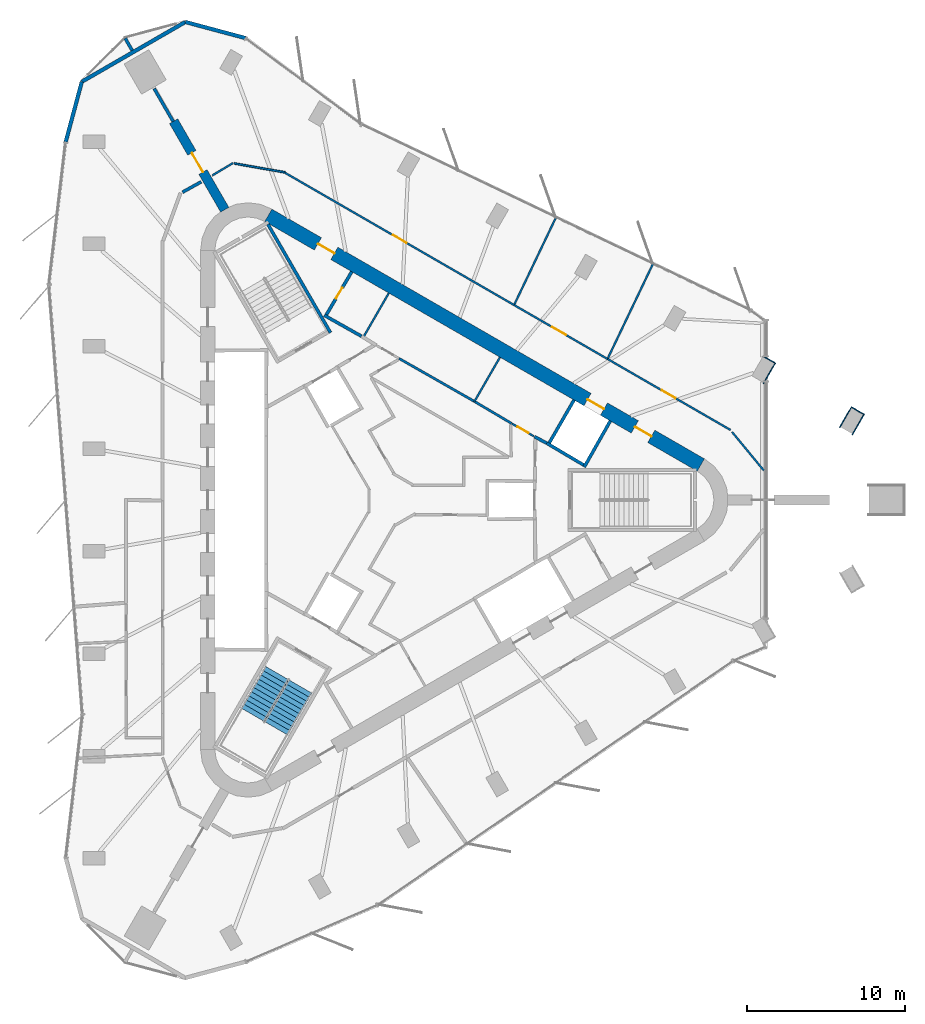
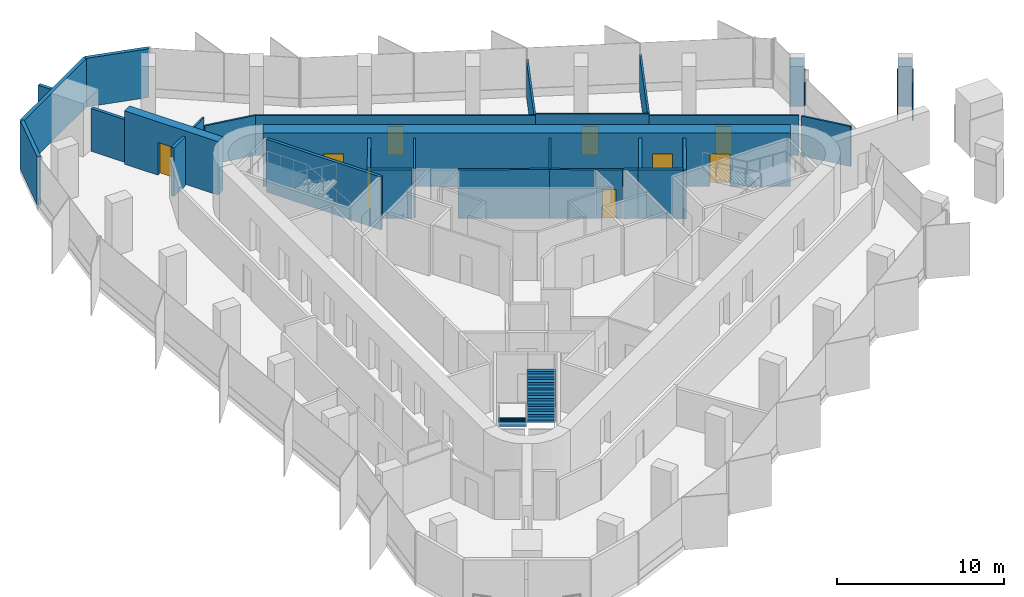
# One storey, part 10 of 12: 33 walls, 9 doors, 2 stair flights, 9 openings, 1 element without a shape of its own.
"""IFC4 building model written with IfcOpenShell, lengths in metres."""

import ifcopenshell
import ifcopenshell.guid

model = None  # the IFC model being written
_history = None  # IfcOwnerHistory: only IFC2X3 demands one
_inside = {}  # id of a spatial element -> (the spatial element, [elements in it])
_under = {}  # id of a project, library or spatial element -> (it, [spatial elements below it])
_declared = {}  # id of a project -> (the project, [libraries it declares])
_typed = {}  # id of a type object -> (the type object, [elements of that type])
_made_of = {}  # id of a material, layer set ... -> (it, [elements and type objects made of it])


def new_model(schema):
    """Start an empty IFC model of exactly this schema.

    Asked for "IFC4X3", IfcOpenShell would pick the latest addendum, in which some entities
    have other attributes; the version numbers below select the first issue.
    IFC2X3 requires an IfcOwnerHistory on every rooted entity: one is made here for all.
    """
    global model, _history
    if schema == "IFC4X3":
        model = ifcopenshell.file(schema_version=(4, 3, 0, 0))
    else:
        model = ifcopenshell.file(schema=schema)
    _inside.clear()
    _under.clear()
    _declared.clear()
    _typed.clear()
    _made_of.clear()
    _history = None
    if model.schema == "IFC2X3":
        org = make("IfcOrganization", Name="unknown")
        user = make(
            "IfcPersonAndOrganization",
            ThePerson=make("IfcPerson", FamilyName="unknown"),
            TheOrganization=org,
        )
        app = make(
            "IfcApplication",
            ApplicationDeveloper=org,
            Version="unknown",
            ApplicationFullName="unknown",
            ApplicationIdentifier="unknown",
        )
        _history = make(
            "IfcOwnerHistory",
            OwningUser=user,
            OwningApplication=app,
            ChangeAction="ADDED",
            CreationDate=0,
        )
    return model


def make(cls, **values):
    """One entity of the class cls with the attributes given. An attribute that is None is left unset."""
    return model.create_entity(
        cls, **{name: value for name, value in values.items() if value is not None}
    )


def rooted(cls, **values):
    """An entity with a GlobalId (a new one), such as an element, a storey or a relation."""
    return make(cls, GlobalId=ifcopenshell.guid.new(), OwnerHistory=_history, **values)


def si_unit(unit_type, name, prefix=None):
    """IfcSIUnit, for example si_unit("LENGTHUNIT", "METRE", prefix="MILLI")."""
    return make("IfcSIUnit", UnitType=unit_type, Prefix=prefix, Name=name)


def assignment(units):
    """IfcUnitAssignment: the units of a project."""
    return None if units is None else make("IfcUnitAssignment", Units=units)


def point(xyz):
    """IfcCartesianPoint."""
    return None if xyz is None else make("IfcCartesianPoint", Coordinates=xyz)


def direction(xyz):
    """IfcDirection."""
    return None if xyz is None else make("IfcDirection", DirectionRatios=xyz)


def frame(location, z_axis=None, x_axis=None):
    """IfcAxis2Placement3D, a coordinate frame: its origin and axes. An axis left out is left unset."""
    return make(
        "IfcAxis2Placement3D",
        Location=point(location),
        Axis=direction(z_axis),
        RefDirection=direction(x_axis),
    )


def frame_2d(location, x_axis=None):
    """IfcAxis2Placement2D, a coordinate frame in the plane: its origin and x axis."""
    return make(
        "IfcAxis2Placement2D", Location=point(location), RefDirection=direction(x_axis)
    )


def origin():
    """The frame at (0, 0, 0) with its axes left unset."""
    return frame((0.0, 0.0, 0.0))


def place(relative_to, where):
    """IfcLocalPlacement: puts the frame where relative to a parent placement (None: the world)."""
    return make(
        "IfcLocalPlacement", PlacementRelTo=relative_to, RelativePlacement=where
    )


def context(
    kind, dimensions, precision=None, world=None, true_north=None, identifier=None
):
    """IfcGeometricRepresentationContext, for example the 3D "Model" context."""
    return make(
        "IfcGeometricRepresentationContext",
        ContextIdentifier=identifier,
        ContextType=kind,
        CoordinateSpaceDimension=dimensions,
        Precision=precision,
        WorldCoordinateSystem=world,
        TrueNorth=true_north,
    )


def subcontext(parent, identifier, kind, view, scale=None):
    """IfcGeometricRepresentationSubContext, for example "Body" below "Model"."""
    return make(
        "IfcGeometricRepresentationSubContext",
        ContextIdentifier=identifier,
        ContextType=kind,
        ParentContext=parent,
        TargetScale=scale,
        TargetView=view,
    )


def project(units=None, contexts=None):
    """IfcProject with its units and contexts."""
    return rooted(
        "IfcProject",
        Name="project",
        RepresentationContexts=contexts,
        UnitsInContext=assignment(units),
    )


def spatial(cls, under=None, at=None, **own):
    """A site, building, storey or space (cls), placed at a placement, below another one or the project."""
    s = rooted(cls, ObjectPlacement=at, **own)
    if under is not None:
        _under.setdefault(under.id(), (under, []))[1].append(s)
    return s


def polyline(points):
    """IfcPolyline through the points."""
    return make("IfcPolyline", Points=[point(p) for p in points])


def profile(cls, at=None, kind="AREA", **sizes):
    """A parametric profile (cls). Its sizes go by their IFC names, for example OverallWidth=200.0."""
    return make(cls, ProfileType=kind, Position=at, **sizes)


def rectangle(**sizes):
    """IfcRectangleProfileDef."""
    return profile("IfcRectangleProfileDef", **sizes)


def outline(outer, holes=None, kind="AREA"):
    """IfcArbitraryClosedProfileDef: a profile drawn as a closed curve; with holes, ...WithVoids."""
    if holes is None:
        return make("IfcArbitraryClosedProfileDef", ProfileType=kind, OuterCurve=outer)
    return make(
        "IfcArbitraryProfileDefWithVoids",
        ProfileType=kind,
        OuterCurve=outer,
        InnerCurves=holes,
    )


def extrude(swept, where, along, depth):
    """IfcExtrudedAreaSolid: the profile swept, set in the frame where, extruded along a direction by depth."""
    return make(
        "IfcExtrudedAreaSolid",
        SweptArea=swept,
        Position=where,
        ExtrudedDirection=direction(along),
        Depth=depth,
    )


def shape(context_of_items, identifier, shape_type, items):
    """IfcShapeRepresentation: the items that make up one representation, for example the "Body"."""
    return make(
        "IfcShapeRepresentation",
        ContextOfItems=context_of_items,
        RepresentationIdentifier=identifier,
        RepresentationType=shape_type,
        Items=items,
    )


def material(Name=None, Category=None):
    """IfcMaterial."""
    return make("IfcMaterial", Name=Name, Category=Category)


def layer(
    of_material, thickness, ventilated=None, Name=None, Category=None, Priority=None
):
    """IfcMaterialLayer: one layer of a wall or slab, of a material (None: an air gap)."""
    return make(
        "IfcMaterialLayer",
        Material=of_material,
        LayerThickness=thickness,
        IsVentilated=ventilated,
        Name=Name,
        Category=Category,
        Priority=Priority,
    )


def layer_set(layers, Name=None):
    """IfcMaterialLayerSet."""
    return make("IfcMaterialLayerSet", MaterialLayers=layers, LayerSetName=Name)


def made_of(thing, what):
    """Note that an element or type object is made of a material, layer set ...; save() writes the relation."""
    if what is not None:
        _made_of.setdefault(what.id(), (what, []))[1].append(thing)
    return thing


def type_object(cls, material=None, **own):
    """A type object (cls), such as IfcWallType, which elements share."""
    return made_of(rooted(cls, **own), material)


def element(
    cls,
    number,
    at=None,
    inside=None,
    cuts=None,
    type_object=None,
    material=None,
    context=None,
    identifier="Body",
    shape_type=None,
    held_by="IfcProductDefinitionShape",
    body=None,
    shapes=None,
    **own,
):
    """One element of the class cls, such as IfcWall. Its Tag is "e" and its number.

    at: its placement. inside: the storey or other place that contains it. cuts: it is an
    opening in that element (IfcRelVoidsElement). A single representation is given by context,
    identifier, shape_type and body (its items); several are given by shapes. held_by: the class
    of the entity that holds the representations. save() writes the other relations.
    """
    e = rooted(cls, Tag="e%d" % number, ObjectPlacement=at, **own)
    if body is not None:
        shapes = [shape(context, identifier, shape_type, body)]
    if shapes is not None:
        e.Representation = make(held_by, Representations=shapes)
    if inside is not None:
        _inside.setdefault(inside.id(), (inside, []))[1].append(e)
    if cuts is not None:
        rooted(
            "IfcRelVoidsElement", RelatingBuildingElement=cuts, RelatedOpeningElement=e
        )
    if type_object is not None:
        _typed.setdefault(type_object.id(), (type_object, []))[1].append(e)
    return made_of(e, material)


def fill(opening, filler):
    """IfcRelFillsElement: the door or window that sits in an opening."""
    return rooted(
        "IfcRelFillsElement",
        RelatingOpeningElement=opening,
        RelatedBuildingElement=filler,
    )


def aggregate(whole, parts):
    """IfcRelAggregates: a whole, such as a stair, and the parts it consists of."""
    return rooted("IfcRelAggregates", RelatingObject=whole, RelatedObjects=parts)


def save(model, path):
    """Write the relations noted so far, then the file.

    IfcRelAggregates (storeys below a building ...), IfcRelContainedInSpatialStructure (elements
    in a storey), IfcRelDefinesByType, IfcRelAssociatesMaterial and IfcRelDeclares: one each for
    every whole, place, type object, material and project.
    """
    for whole, parts in _under.values():
        aggregate(whole, parts)
    for where, things in _inside.values():
        rooted(
            "IfcRelContainedInSpatialStructure",
            RelatedElements=things,
            RelatingStructure=where,
        )
    for kind, things in _typed.values():
        rooted("IfcRelDefinesByType", RelatedObjects=things, RelatingType=kind)
    for what, things in _made_of.values():
        rooted("IfcRelAssociatesMaterial", RelatedObjects=things, RelatingMaterial=what)
    for by, libraries in _declared.values():
        rooted("IfcRelDeclares", RelatingContext=by, RelatedDefinitions=libraries)
    model.write(path)


model = new_model("IFC4")

# Units and contexts
model_context = context("Model", 3, precision=1e-05, world=origin(), true_north=direction((0.0, 1.0)))
body_context = subcontext(model_context, "Body", "Model", "MODEL_VIEW")
ifc_project = project(units=[si_unit("LENGTHUNIT", "METRE"), si_unit("AREAUNIT", "SQUARE_METRE"), si_unit("VOLUMEUNIT", "CUBIC_METRE"), si_unit("PLANEANGLEUNIT", "RADIAN"), si_unit("MASSUNIT", "GRAM", prefix="KILO")], contexts=[model_context])

# Site, building, storey
site_placement = place(None, origin())
site = spatial("IfcSite", under=ifc_project, at=site_placement, CompositionType="ELEMENT")
building_placement = place(site_placement, origin())
building = spatial("IfcBuilding", under=site, at=building_placement, Name="Tanit Gate Tower", CompositionType="ELEMENT")
storey_placement = place(building_placement, frame((0.0, 0.0, 388.39990234375)))
storey = spatial("IfcBuildingStorey", under=building, at=storey_placement, Name="L89", CompositionType="ELEMENT", Elevation=388.39990234375)

# Wall, opening, door
ifc_material_1 = material(Name="Concrete C40/50", Category="concrete")
ifc_layer_1 = layer(ifc_material_1, 0.60009765625)
ifc_layer_set_1 = layer_set([ifc_layer_1], Name="BUTTRESS FIN 600 C40/50")
wall_type_1 = type_object("IfcWallType", Name="BUTTRESS FIN 600 C40/50", PredefinedType="SHEAR", material=ifc_layer_set_1)
wall_1_placement = place(storey_placement, frame((-10.574951171875, 18.31640625, 0.0), z_axis=(0.0, 0.0, 1.0), x_axis=(-0.500011655475, 0.866018674388, 0.0)))
wall_1 = element("IfcWall", 1, at=wall_1_placement, inside=storey, type_object=wall_type_1, Name="BUTTRESS FIN", PredefinedType="SHEAR", context=body_context, shape_type="SweptSolid", body=[
    extrude(rectangle(XDim=6.454833984375, YDim=0.60009765625, at=frame_2d((3.2275390625, 0.0))), origin(), (0.0, 0.0, 1.0), 3.900146484375),
])
opening_1_placement = place(wall_1_placement, frame((2.75, 0.0, 0.0)))
opening_1 = element("IfcOpeningElement", 2, at=opening_1_placement, cuts=wall_1, Name="Opening P14-89-F-NW-1", PredefinedType="OPENING", context=body_context, shape_type="SweptSolid", body=[
    extrude(rectangle(XDim=1.39990234375, YDim=2.39990234375, at=frame_2d((0.699951171875, 1.199951171875))), frame((0.0, 0.31005859375, 0.0), z_axis=(0.0, -1.0, 0.0), x_axis=(1.0, 0.0, 0.0)), (0.0, 0.0, 1.0), 0.6201171875),
])
ifc_material_2 = material(Name="Timber door leaf", Category="wood")
door_type_1 = type_object("IfcDoorType", Name="INT-DOOR-FIN-PAIR-1400", OperationType="NOTDEFINED", PredefinedType="NOTDEFINED", material=ifc_material_2)
door_1_placement = place(opening_1_placement, origin())
door_1 = element("IfcDoor", 3, at=door_1_placement, inside=storey, type_object=door_type_1, Name="Door P14-89-F-NW-1", OperationType="DOUBLE_DOOR_SINGLE_SWING", OverallHeight=2.39990234375, OverallWidth=1.39990234375, PredefinedType="NOTDEFINED", context=body_context, shape_type="SweptSolid", body=[
    extrude(rectangle(XDim=1.39990234375, YDim=2.39990234375, at=frame_2d((0.699951171875, 1.199951171875))), frame((0.0, 0.02490234375, 0.0), z_axis=(0.0, -1.0, 0.0), x_axis=(1.0, 0.0, 0.0)), (0.0, 0.0, 1.0), 0.050048828125),
])
fill(opening_1, door_1)

# Wall, openings, doors
ifc_material_3 = material(Name="Concrete C40/50", Category="concrete")
ifc_layer_2 = layer(ifc_material_3, 0.89990234375)
ifc_layer_set_2 = layer_set([ifc_layer_2], Name="CORE WALL 900 C40/50")
wall_type_2 = type_object("IfcWallType", Name="CORE WALL 900 C40/50", PredefinedType="SHEAR", material=ifc_layer_set_2)
wall_2_placement = place(storey_placement, frame((19.47509765625, 2.20849609375, 0.0), z_axis=(0.0, 0.0, 1.0), x_axis=(-0.866028369851, 0.499994862586, 0.0)))
wall_2 = element("IfcWall", 4, at=wall_2_placement, inside=storey, type_object=wall_type_2, Name="CORE WALL", PredefinedType="SHEAR", context=body_context, shape_type="SweptSolid", body=[
    extrude(rectangle(XDim=31.523193359375, YDim=0.89990234375, at=frame_2d((15.76171875, 0.0))), origin(), (0.0, 0.0, 1.0), 3.900146484375),
])
opening_2_placement = place(wall_2_placement, frame((7.0615234375, 0.0, 0.0)))
opening_2 = element("IfcOpeningElement", 5, at=opening_2_placement, cuts=wall_2, Name="Opening LDHL8-89", PredefinedType="OPENING", context=body_context, shape_type="SweptSolid", body=[
    extrude(rectangle(XDim=1.199951171875, YDim=2.39990234375, at=frame_2d((0.60009765625, 1.199951171875))), frame((0.0, 0.4599609375, 0.0), z_axis=(0.0, -1.0, 0.0), x_axis=(1.0, 0.0, 0.0)), (0.0, 0.0, 1.0), 0.919921875),
])
opening_3_placement = place(wall_2_placement, frame((3.611572265625, 0.0, 0.0)))
opening_3 = element("IfcOpeningElement", 6, at=opening_3_placement, cuts=wall_2, Name="Opening F12-89-FL1", PredefinedType="OPENING", context=body_context, shape_type="SweptSolid", body=[
    extrude(rectangle(XDim=1.199951171875, YDim=2.39990234375, at=frame_2d((0.60009765625, 1.199951171875))), frame((0.0, 0.4599609375, 0.0), z_axis=(0.0, -1.0, 0.0), x_axis=(1.0, 0.0, 0.0)), (0.0, 0.0, 1.0), 0.919921875),
])
opening_4_placement = place(wall_2_placement, frame((26.711669921875, 0.0, 0.0)))
opening_4 = element("IfcOpeningElement", 7, at=opening_4_placement, cuts=wall_2, Name="Opening F12-89-S2", PredefinedType="OPENING", context=body_context, shape_type="SweptSolid", body=[
    extrude(rectangle(XDim=1.199951171875, YDim=2.39990234375, at=frame_2d((0.60009765625, 1.199951171875))), frame((0.0, 0.4599609375, 0.0), z_axis=(0.0, -1.0, 0.0), x_axis=(1.0, 0.0, 0.0)), (0.0, 0.0, 1.0), 0.919921875),
])
ifc_material_4 = material(Name="Fire-rated steel door leaf", Category="steel")
door_type_2 = type_object("IfcDoorType", Name="INT-DOOR-FIRE-LOBBY-1200", OperationType="NOTDEFINED", PredefinedType="USERDEFINED", material=ifc_material_4)
door_2_placement = place(opening_3_placement, origin())
door_2 = element("IfcDoor", 8, at=door_2_placement, inside=storey, type_object=door_type_2, Name="Door F12-89-FL1", ObjectType="FIRE DOOR", OperationType="SINGLE_SWING_LEFT", OverallHeight=2.39990234375, OverallWidth=1.199951171875, PredefinedType="USERDEFINED", context=body_context, shape_type="SweptSolid", body=[
    extrude(rectangle(XDim=1.199951171875, YDim=2.39990234375, at=frame_2d((0.60009765625, 1.199951171875))), frame((0.0, 0.02490234375, 0.0), z_axis=(0.0, -1.0, 0.0), x_axis=(1.0, 0.0, 0.0)), (0.0, 0.0, 1.0), 0.050048828125),
])
fill(opening_3, door_2)
door_3_placement = place(opening_4_placement, origin())
door_3 = element("IfcDoor", 9, at=door_3_placement, inside=storey, type_object=door_type_2, Name="Door F12-89-S2", ObjectType="FIRE DOOR", OperationType="SINGLE_SWING_LEFT", OverallHeight=2.39990234375, OverallWidth=1.199951171875, PredefinedType="USERDEFINED", context=body_context, shape_type="SweptSolid", body=[
    extrude(rectangle(XDim=1.199951171875, YDim=2.39990234375, at=frame_2d((0.60009765625, 1.199951171875))), frame((0.0, 0.02490234375, 0.0), z_axis=(0.0, -1.0, 0.0), x_axis=(1.0, 0.0, 0.0)), (0.0, 0.0, 1.0), 0.050048828125),
])
fill(opening_4, door_3)
ifc_material_5 = material(Name="Stainless steel sliding door leaf", Category="steel")
door_type_3 = type_object("IfcDoorType", Name="INT-DOOR-LANDING-1200", OperationType="NOTDEFINED", PredefinedType="USERDEFINED", material=ifc_material_5)
door_4_placement = place(opening_2_placement, origin())
door_4 = element("IfcDoor", 10, at=door_4_placement, inside=storey, type_object=door_type_3, Name="Door LDHL8-89", ObjectType="LANDING DOOR", OperationType="SLIDING_TO_LEFT", OverallHeight=2.39990234375, OverallWidth=1.199951171875, PredefinedType="USERDEFINED", context=body_context, shape_type="SweptSolid", body=[
    extrude(rectangle(XDim=1.199951171875, YDim=2.39990234375, at=frame_2d((0.60009765625, 1.199951171875))), frame((0.0, 0.02490234375, 0.0), z_axis=(0.0, -1.0, 0.0), x_axis=(1.0, 0.0, 0.0)), (0.0, 0.0, 1.0), 0.050048828125),
])
fill(opening_2, door_4)

# Walls
ifc_material_6 = material(Name="Bronze anodised aluminium cladding", Category="aluminium")
ifc_layer_3 = layer(ifc_material_6, 0.06005859375)
ifc_layer_set_3 = layer_set([ifc_layer_3], Name="Column casing bronze 60")
wall_type_3 = type_object("IfcWallType", Name="Column casing bronze 60", PredefinedType="SOLIDWALL", material=ifc_layer_set_3)
for number, where, z_axis, x_axis, name in (
    (11, (28.235595703125, 4.568115234375, 0.0), (0.0, 0.0, 1.0), (0.499991248344, 0.866030456496, 0.0), "Column casing L89 P-NE1.L1"),
    (12, (29.023681640625, 4.11328125, 0.0), (0.0, 0.0, 1.0), (0.499991248344, 0.866030456496, 0.0), "Column casing L89 P-NE1.L2"),
):
    element("IfcWall", number, at=place(storey_placement, frame(where, z_axis=z_axis, x_axis=x_axis)), inside=storey, type_object=wall_type_3, Name=name, PredefinedType="SOLIDWALL", context=body_context, shape_type="SweptSolid", body=[
        extrude(rectangle(XDim=1.52001953125, YDim=0.06005859375, at=frame_2d((0.760009765625, 0.0))), origin(), (0.0, 0.0, 1.0), 2.736083984375),
    ])
wall_3_placement = place(storey_placement, frame((29.74267578125, 5.418701171875, 0.0), z_axis=(0.0, 0.0, 1.0), x_axis=(-0.866113839764, 0.499846793097, 0.0)))
element("IfcWall", 13, at=wall_3_placement, inside=storey, type_object=wall_type_3, Name="Column casing L89 P-NE1.S1", PredefinedType="SOLIDWALL", context=body_context, shape_type="SweptSolid", body=[
    extrude(rectangle(XDim=0.849853515625, YDim=0.06005859375, at=frame_2d((0.4248046875, 0.0))), origin(), (0.0, 0.0, 1.0), 3.550048828125),
])
wall_4_placement = place(storey_placement, frame((23.42578125, 7.34521484375, 1.10009765625), z_axis=(0.0, 0.0, 1.0), x_axis=(0.499991248344, 0.866030456496, 0.0)))
element("IfcWall", 14, at=wall_4_placement, inside=storey, type_object=wall_type_3, Name="Column casing L89 P-NE2.L2", PredefinedType="SOLIDWALL", context=body_context, shape_type="SweptSolid", body=[
    extrude(rectangle(XDim=1.52001953125, YDim=0.06005859375, at=frame_2d((0.760009765625, 0.0))), origin(), (0.0, 0.0, 1.0), 1.635986328125),
])
wall_5_placement = place(storey_placement, frame((24.144775390625, 8.650390625, 0.0), z_axis=(0.0, 0.0, 1.0), x_axis=(-0.865989465428, 0.500062241894, 0.0)))
element("IfcWall", 15, at=wall_5_placement, inside=storey, type_object=wall_type_3, Name="Column casing L89 P-NE2.S1", PredefinedType="SOLIDWALL", context=body_context, shape_type="SweptSolid", body=[
    extrude(rectangle(XDim=0.85009765625, YDim=0.06005859375, at=frame_2d((0.425048828125, 0.0))), origin(), (0.0, 0.0, 1.0), 3.550048828125),
])
ifc_material_7 = material(Name="Concrete C30/37 with bronze anodised aluminium cladding", Category="concrete")
ifc_layer_4 = layer(ifc_material_7, 0.239990234375)
ifc_layer_set_4 = layer_set([ifc_layer_4], Name="Facade wall bronze clad 240")
wall_type_4 = type_object("IfcWallType", Name="Facade wall bronze clad 240", PredefinedType="SOLIDWALL", material=ifc_layer_set_4)
wall_6_placement = place(storey_placement, frame((-9.27880859375, 29.157958984375, 0.0), z_axis=(0.0, 0.0, 1.0), x_axis=(-0.965923842933, 0.258826446974, 0.0)))
element("IfcWall", 16, at=wall_6_placement, inside=storey, type_object=wall_type_4, Name="Bronze-clad facade wall L89 NW.arc1", PredefinedType="SOLIDWALL", context=body_context, shape_type="SweptSolid", body=[
    extrude(rectangle(XDim=3.91650390625, YDim=0.239990234375, at=frame_2d((1.958251953125, 0.0))), origin(), (0.0, 0.0, 1.0), 3.550048828125),
])
wall_7_placement = place(storey_placement, frame((-13.061767578125, 30.171630859375, 0.0), z_axis=(0.0, 0.0, 1.0), x_axis=(-0.86602506914, -0.500000579621, 0.0)))
element("IfcWall", 17, at=wall_7_placement, inside=storey, type_object=wall_type_4, Name="Bronze-clad facade wall L89 NW.arc2", PredefinedType="SOLIDWALL", context=body_context, shape_type="SweptSolid", body=[
    extrude(rectangle(XDim=7.5478515625, YDim=0.239990234375, at=frame_2d((3.77392578125, 0.0))), origin(), (0.0, 0.0, 1.0), 3.550048828125),
])
wall_8_placement = place(storey_placement, frame((-19.598388671875, 26.397705078125, 0.0), z_axis=(0.0, 0.0, 1.0), x_axis=(-0.258826121588, -0.965923930123, 0.0)))
element("IfcWall", 18, at=wall_8_placement, inside=storey, type_object=wall_type_4, Name="Bronze-clad facade wall L89 NW.arc3", PredefinedType="SOLIDWALL", context=body_context, shape_type="SweptSolid", body=[
    extrude(rectangle(XDim=3.9306640625, YDim=0.239990234375, at=frame_2d((1.96533203125, 0.0))), origin(), (0.0, 0.0, 1.0), 3.550048828125),
])
ifc_material_8 = material(Name="Fire-rated gypsum board partition")
ifc_layer_5 = layer(ifc_material_8, 0.199951171875)
ifc_layer_set_5 = layer_set([ifc_layer_5], Name="INT-WALL-COMPARTMENT")
wall_type_5 = type_object("IfcWallType", Name="INT-WALL-COMPARTMENT", PredefinedType="PARTITIONING", material=ifc_layer_set_5)
wall_9_placement = place(storey_placement, frame((8.97412109375, 3.998779296875, 0.0), z_axis=(0.0, 0.0, 1.0), x_axis=(0.880917147855, -0.473270513147, 0.0)))
element("IfcWall", 19, at=wall_9_placement, inside=storey, type_object=wall_type_5, Name="Wall Compartment W048", PredefinedType="PARTITIONING", context=body_context, shape_type="SweptSolid", body=[
    extrude(rectangle(XDim=0.8779296875, YDim=0.199951171875, at=frame_2d((0.43896484375, 0.0))), origin(), (0.0, 0.0, 1.0), 3.550048828125),
])
wall_10_placement = place(storey_placement, frame((-4.296142578125, 11.658935546875, 0.0), z_axis=(0.0, 0.0, 1.0), x_axis=(0.871534483978, -0.490334215854, 0.0)))
element("IfcWall", 20, at=wall_10_placement, inside=storey, type_object=wall_type_5, Name="Wall Compartment W055", PredefinedType="PARTITIONING", context=body_context, shape_type="SweptSolid", body=[
    extrude(rectangle(XDim=2.7001953125, YDim=0.199951171875, at=frame_2d((1.35009765625, 0.0))), origin(), (0.0, 0.0, 1.0), 3.550048828125),
])

# Wall, opening, door
wall_11_placement = place(storey_placement, frame((-2.557861328125, 14.409423828125, 0.0), z_axis=(0.0, 0.0, 1.0), x_axis=(-0.508018930956, -0.861345903683, 0.0)))
wall_11 = element("IfcWall", 21, at=wall_11_placement, inside=storey, type_object=wall_type_5, Name="Wall Compartment W056", PredefinedType="PARTITIONING", context=body_context, shape_type="SweptSolid", body=[
    extrude(rectangle(XDim=3.150146484375, YDim=0.199951171875, at=frame_2d((1.5751953125, 0.0))), origin(), (0.0, 0.0, 1.0), 3.550048828125),
])
opening_5_placement = place(wall_11_placement, frame((1.175048828125, 0.0, 0.0)))
opening_5 = element("IfcOpeningElement", 22, at=opening_5_placement, cuts=wall_11, Name="Opening R08-89-16", PredefinedType="OPENING", context=body_context, shape_type="SweptSolid", body=[
    extrude(rectangle(XDim=0.800048828125, YDim=2.10009765625, at=frame_2d((0.39990234375, 1.050048828125))), frame((0.0, 0.10986328125, 0.0), z_axis=(0.0, -1.0, 0.0), x_axis=(1.0, 0.0, 0.0)), (0.0, 0.0, 1.0), 0.219970703125),
])
ifc_material_9 = material(Name="Timber door leaf", Category="wood")
door_type_4 = type_object("IfcDoorType", Name="INT-DOOR-RISER-800", OperationType="NOTDEFINED", PredefinedType="USERDEFINED", material=ifc_material_9)
door_5_placement = place(opening_5_placement, origin())
door_5 = element("IfcDoor", 23, at=door_5_placement, inside=storey, type_object=door_type_4, Name="Door R08-89-16", ObjectType="FIRE DOOR", OperationType="SINGLE_SWING_LEFT", OverallHeight=2.10009765625, OverallWidth=0.800048828125, PredefinedType="USERDEFINED", context=body_context, shape_type="SweptSolid", body=[
    extrude(rectangle(XDim=0.800048828125, YDim=2.10009765625, at=frame_2d((0.39990234375, 1.050048828125))), frame((0.0, 0.02490234375, 0.0), z_axis=(0.0, -1.0, 0.0), x_axis=(1.0, 0.0, 0.0)), (0.0, 0.0, 1.0), 0.050048828125),
])
fill(opening_5, door_5)

# Walls
wall_12_placement = place(storey_placement, frame((-12.0576171875, 20.08447265625, 0.0), z_axis=(0.0, 0.0, 1.0), x_axis=(-0.873800624305, -0.486284349907, 0.0)))
element("IfcWall", 24, at=wall_12_placement, inside=storey, type_object=wall_type_5, Name="Wall Compartment W092", PredefinedType="PARTITIONING", context=body_context, shape_type="SweptSolid", body=[
    extrude(rectangle(XDim=1.35693359375, YDim=0.199951171875, at=frame_2d((0.678466796875, 0.0))), origin(), (0.0, 0.0, 1.0), 3.550048828125),
])
wall_13_placement = place(storey_placement, frame((-16.857666015625, 29.138427734375, 0.0), z_axis=(0.0, 0.0, 1.0), x_axis=(0.500033502416, -0.866006060292, 0.0)))
element("IfcWall", 25, at=wall_13_placement, inside=storey, type_object=wall_type_5, Name="Wall Compartment W103", PredefinedType="PARTITIONING", context=body_context, shape_type="SweptSolid", body=[
    extrude(rectangle(XDim=0.88330078125, YDim=0.199951171875, at=frame_2d((0.441650390625, 0.0))), origin(), (0.0, 0.0, 1.0), 3.550048828125),
])
wall_14_placement = place(storey_placement, frame((-15.02392578125, 25.962158203125, 0.0), z_axis=(0.0, 0.0, 1.0), x_axis=(0.500037706602, -0.866003632773, 0.0)))
element("IfcWall", 26, at=wall_14_placement, inside=storey, type_object=wall_type_5, Name="Wall Compartment W104", PredefinedType="PARTITIONING", context=body_context, shape_type="SweptSolid", body=[
    extrude(rectangle(XDim=2.390869140625, YDim=0.199951171875, at=frame_2d((1.1953125, 0.0))), origin(), (0.0, 0.0, 1.0), 3.1201171875),
])
ifc_material_10 = material(Name="Gypsum board partition")
ifc_layer_6 = layer(ifc_material_10, 0.1201171875)
ifc_layer_set_6 = layer_set([ifc_layer_6], Name="INT-WALL-PARTITION")
wall_type_6 = type_object("IfcWallType", Name="INT-WALL-PARTITION", PredefinedType="PARTITIONING", material=ifc_layer_set_6)
wall_15_placement = place(storey_placement, frame((5.170166015625, 6.19482421875, 0.0), z_axis=(0.0, 0.0, 1.0), x_axis=(0.499984717929, 0.866034226713, 0.0)))
element("IfcWall", 27, at=wall_15_placement, inside=storey, type_object=wall_type_6, Name="Wall Partition W047", PredefinedType="PARTITIONING", context=body_context, shape_type="SweptSolid", body=[
    extrude(rectangle(XDim=3.25, YDim=0.1201171875, at=frame_2d((1.625, 0.0))), origin(), (0.0, 0.0, 1.0), 3.550048828125),
])

# Wall, opening, door
wall_16_placement = place(storey_placement, frame((7.550048828125, 4.82080078125, 0.0), z_axis=(0.0, 0.0, 1.0), x_axis=(0.866019818373, -0.500009674092, 0.0)))
wall_16 = element("IfcWall", 28, at=wall_16_placement, inside=storey, type_object=wall_type_6, Name="Wall Partition W050", PredefinedType="PARTITIONING", context=body_context, shape_type="SweptSolid", body=[
    extrude(rectangle(XDim=1.59423828125, YDim=0.1201171875, at=frame_2d((0.797119140625, 0.0))), origin(), (0.0, 0.0, 1.0), 3.550048828125),
])
opening_6_placement = place(wall_16_placement, frame((0.397216796875, 0.0, 0.0)))
opening_6 = element("IfcOpeningElement", 29, at=opening_6_placement, cuts=wall_16, Name="Opening R08-89-14", PredefinedType="OPENING", context=body_context, shape_type="SweptSolid", body=[
    extrude(rectangle(XDim=0.800048828125, YDim=2.10009765625, at=frame_2d((0.39990234375, 1.050048828125))), frame((0.0, 0.070068359375, 0.0), z_axis=(0.0, -1.0, 0.0), x_axis=(1.0, 0.0, 0.0)), (0.0, 0.0, 1.0), 0.14013671875),
])
door_6_placement = place(opening_6_placement, origin())
door_6 = element("IfcDoor", 30, at=door_6_placement, inside=storey, type_object=door_type_4, Name="Door R08-89-14", ObjectType="FIRE DOOR", OperationType="SINGLE_SWING_RIGHT", OverallHeight=2.10009765625, OverallWidth=0.800048828125, PredefinedType="USERDEFINED", context=body_context, shape_type="SweptSolid", body=[
    extrude(rectangle(XDim=0.800048828125, YDim=2.10009765625, at=frame_2d((0.39990234375, 1.050048828125))), frame((0.0, 0.02490234375, 0.0), z_axis=(0.0, -1.0, 0.0), x_axis=(1.0, 0.0, 0.0)), (0.0, 0.0, 1.0), 0.050048828125),
])
fill(opening_6, door_6)

# Wall
wall_17_placement = place(storey_placement, frame((-0.2197265625, 13.0595703125, 0.0), z_axis=(0.0, 0.0, 1.0), x_axis=(-0.499984717929, -0.866034226713, 0.0)))
element("IfcWall", 31, at=wall_17_placement, inside=storey, type_object=wall_type_6, Name="Wall Partition W051", PredefinedType="PARTITIONING", context=body_context, shape_type="SweptSolid", body=[
    extrude(rectangle(XDim=3.25, YDim=0.1201171875, at=frame_2d((1.625, 0.0))), origin(), (0.0, 0.0, 1.0), 3.550048828125),
])

# Wall, opening, door
wall_18_placement = place(storey_placement, frame((21.3447265625, 4.419921875, 0.0), z_axis=(0.0, 0.0, 1.0), x_axis=(-0.866034476435, 0.499984285379, 0.0)))
wall_18 = element("IfcWall", 32, at=wall_18_placement, inside=storey, type_object=wall_type_6, Name="Wall Partition W109", PredefinedType="PARTITIONING", context=body_context, shape_type="SweptSolid", body=[
    extrude(rectangle(XDim=8.959228515625, YDim=0.1201171875, at=frame_2d((4.4794921875, 0.0))), origin(), (0.0, 0.0, 1.0), 2.920166015625),
])
opening_7_placement = place(wall_18_placement, frame((4.0107421875, 0.0, 0.0)))
opening_7 = element("IfcOpeningElement", 33, at=opening_7_placement, cuts=wall_18, Name="Opening D10-89-24", PredefinedType="OPENING", context=body_context, shape_type="SweptSolid", body=[
    extrude(rectangle(XDim=1.0, YDim=2.10009765625, at=frame_2d((0.5, 1.050048828125))), frame((0.0, 0.070068359375, 0.0), z_axis=(0.0, -1.0, 0.0), x_axis=(1.0, 0.0, 0.0)), (0.0, 0.0, 1.0), 0.14013671875),
])
ifc_material_11 = material(Name="Timber door leaf", Category="wood")
door_type_5 = type_object("IfcDoorType", Name="INT-DOOR-SINGLE-1000", OperationType="NOTDEFINED", PredefinedType="NOTDEFINED", material=ifc_material_11)
door_7_placement = place(opening_7_placement, origin())
door_7 = element("IfcDoor", 34, at=door_7_placement, inside=storey, type_object=door_type_5, Name="Door D10-89-24", OperationType="SINGLE_SWING_RIGHT", OverallHeight=2.10009765625, OverallWidth=1.0, PredefinedType="NOTDEFINED", context=body_context, shape_type="SweptSolid", body=[
    extrude(rectangle(XDim=1.0, YDim=2.10009765625, at=frame_2d((0.5, 1.050048828125))), frame((0.0, 0.02490234375, 0.0), z_axis=(0.0, -1.0, 0.0), x_axis=(1.0, 0.0, 0.0)), (0.0, 0.0, 1.0), 0.050048828125),
])
fill(opening_7, door_7)

wall_19_placement = place(storey_placement, frame((13.585693359375, 8.8994140625, 0.0), z_axis=(0.0, 0.0, 1.0), x_axis=(-0.866018980909, 0.500011124582, 0.0)))
wall_19 = element("IfcWall", 35, at=wall_19_placement, inside=storey, type_object=wall_type_6, Name="Wall Partition W111", PredefinedType="PARTITIONING", context=body_context, shape_type="SweptSolid", body=[
    extrude(rectangle(XDim=6.808349609375, YDim=0.1201171875, at=frame_2d((3.404296875, 0.0))), origin(), (0.0, 0.0, 1.0), 3.02001953125),
])
opening_8_placement = place(wall_19_placement, frame((3.03466796875, 0.0, 0.0)))
opening_8 = element("IfcOpeningElement", 36, at=opening_8_placement, cuts=wall_19, Name="Opening D10-89-25", PredefinedType="OPENING", context=body_context, shape_type="SweptSolid", body=[
    extrude(rectangle(XDim=1.0, YDim=2.10009765625, at=frame_2d((0.5, 1.050048828125))), frame((0.0, 0.070068359375, 0.0), z_axis=(0.0, -1.0, 0.0), x_axis=(1.0, 0.0, 0.0)), (0.0, 0.0, 1.0), 0.14013671875),
])
door_8_placement = place(opening_8_placement, origin())
door_8 = element("IfcDoor", 37, at=door_8_placement, inside=storey, type_object=door_type_5, Name="Door D10-89-25", OperationType="SINGLE_SWING_LEFT", OverallHeight=2.10009765625, OverallWidth=1.0, PredefinedType="NOTDEFINED", context=body_context, shape_type="SweptSolid", body=[
    extrude(rectangle(XDim=1.0, YDim=2.10009765625, at=frame_2d((0.5, 1.050048828125))), frame((0.0, 0.02490234375, 0.0), z_axis=(0.0, -1.0, 0.0), x_axis=(1.0, 0.0, 0.0)), (0.0, 0.0, 1.0), 0.050048828125),
])
fill(opening_8, door_8)

wall_20_placement = place(storey_placement, frame((7.689453125, 12.3037109375, 0.0), z_axis=(0.0, 0.0, 1.0), x_axis=(-0.866027453109, 0.499996450449, 0.0)))
wall_20 = element("IfcWall", 38, at=wall_20_placement, inside=storey, type_object=wall_type_6, Name="Wall Partition W114", PredefinedType="PARTITIONING", context=body_context, shape_type="SweptSolid", body=[
    extrude(rectangle(XDim=16.71142578125, YDim=0.1201171875, at=frame_2d((8.355712890625, 0.0))), origin(), (0.0, 0.0, 1.0), 2.920166015625),
])
opening_9_placement = place(wall_20_placement, frame((7.834716796875, 0.0, 0.0)))
opening_9 = element("IfcOpeningElement", 39, at=opening_9_placement, cuts=wall_20, Name="Opening D10-89-26", PredefinedType="OPENING", context=body_context, shape_type="SweptSolid", body=[
    extrude(rectangle(XDim=1.0, YDim=2.10009765625, at=frame_2d((0.5, 1.050048828125))), frame((0.0, 0.070068359375, 0.0), z_axis=(0.0, -1.0, 0.0), x_axis=(1.0, 0.0, 0.0)), (0.0, 0.0, 1.0), 0.14013671875),
])
door_9_placement = place(opening_9_placement, origin())
door_9 = element("IfcDoor", 40, at=door_9_placement, inside=storey, type_object=door_type_5, Name="Door D10-89-26", OperationType="SINGLE_SWING_LEFT", OverallHeight=2.10009765625, OverallWidth=1.0, PredefinedType="NOTDEFINED", context=body_context, shape_type="SweptSolid", body=[
    extrude(rectangle(XDim=1.0, YDim=2.10009765625, at=frame_2d((0.5, 1.050048828125))), frame((0.0, 0.02490234375, 0.0), z_axis=(0.0, -1.0, 0.0), x_axis=(1.0, 0.0, 0.0)), (0.0, 0.0, 1.0), 0.050048828125),
])
fill(opening_9, door_9)

# Walls
wall_21_placement = place(storey_placement, frame((23.4462890625, 1.86279296875, 0.0), z_axis=(0.0, 0.0, 1.0), x_axis=(-0.635834971137, 0.771825038126, 0.0)))
element("IfcWall", 41, at=wall_21_placement, inside=storey, type_object=wall_type_6, Name="Wall Partition W110", PredefinedType="PARTITIONING", context=body_context, shape_type="SweptSolid", body=[
    extrude(rectangle(XDim=3.14892578125, YDim=0.1201171875, at=frame_2d((1.574462890625, 0.0))), origin(), (0.0, 0.0, 1.0), 2.920166015625),
])
wall_22_placement = place(storey_placement, frame((-10.05029296875, 21.271240234375, 0.0), z_axis=(0.0, 0.0, 1.0), x_axis=(-0.858012762041, -0.513628367767, 0.0)))
element("IfcWall", 42, at=wall_22_placement, inside=storey, type_object=wall_type_6, Name="Wall Partition W112", PredefinedType="PARTITIONING", context=body_context, shape_type="SweptSolid", body=[
    extrude(rectangle(XDim=1.531982421875, YDim=0.1201171875, at=frame_2d((0.76611328125, 0.0))), origin(), (0.0, 0.0, 1.0), 3.550048828125),
])
wall_23_placement = place(storey_placement, frame((-6.776123046875, 20.678955078125, 0.0), z_axis=(0.0, 0.0, 1.0), x_axis=(-0.984800178558, 0.173691129054, 0.0)))
element("IfcWall", 43, at=wall_23_placement, inside=storey, type_object=wall_type_6, Name="Wall Partition W113", PredefinedType="PARTITIONING", context=body_context, shape_type="SweptSolid", body=[
    extrude(rectangle(XDim=3.25244140625, YDim=0.1201171875, at=frame_2d((1.626220703125, 0.0))), origin(), (0.0, 0.0, 1.0), 2.920166015625),
])
wall_24_placement = place(storey_placement, frame((16.45654296875, 14.9140625, 0.0), z_axis=(0.0, 0.0, 1.0), x_axis=(-0.431082653435, -0.902312443618, 0.0)))
element("IfcWall", 44, at=wall_24_placement, inside=storey, type_object=wall_type_6, Name="Wall Partition W115", PredefinedType="PARTITIONING", context=body_context, shape_type="SweptSolid", body=[
    extrude(rectangle(XDim=6.60400390625, YDim=0.1201171875, at=frame_2d((3.302001953125, 0.0))), origin(), (0.0, 0.0, 1.0), 2.7060546875),
])
wall_25_placement = place(storey_placement, frame((7.713134765625, 12.359130859375, 0.0), z_axis=(0.0, 0.0, 1.0), x_axis=(0.431097076211, 0.902305552949, 0.0)))
element("IfcWall", 45, at=wall_25_placement, inside=storey, type_object=wall_type_6, Name="Wall Partition W116", PredefinedType="PARTITIONING", context=body_context, shape_type="SweptSolid", body=[
    extrude(rectangle(XDim=6.074462890625, YDim=0.1201171875, at=frame_2d((3.037109375, 0.0))), origin(), (0.0, 0.0, 1.0), 2.7060546875),
])
ifc_material_12 = material(Name="Fire-rated gypsum board partition")
ifc_layer_7 = layer(ifc_material_12, 0.14990234375)
ifc_layer_set_7 = layer_set([ifc_layer_7], Name="INT-WALL-RISER")
wall_type_7 = type_object("IfcWallType", Name="INT-WALL-RISER", PredefinedType="PLUMBINGWALL", material=ifc_layer_set_7)
wall_26_placement = place(storey_placement, frame((7.530029296875, 4.83251953125, 0.0), z_axis=(0.0, 0.0, 1.0), x_axis=(-0.860550523279, 0.509365091938, 0.0)))
element("IfcWall", 46, at=wall_26_placement, inside=storey, type_object=wall_type_7, Name="Wall Riser W049", PredefinedType="PLUMBINGWALL", context=body_context, shape_type="SweptSolid", body=[
    extrude(rectangle(XDim=2.755126953125, YDim=0.14990234375, at=frame_2d((1.37744140625, 0.0))), origin(), (0.0, 0.0, 1.0), 3.550048828125),
])
wall_27_placement = place(storey_placement, frame((0.419921875, 8.9375, 0.0), z_axis=(0.0, 0.0, 1.0), x_axis=(0.868754934783, -0.495242226886, 0.0)))
element("IfcWall", 47, at=wall_27_placement, inside=storey, type_object=wall_type_7, Name="Wall Riser W053", PredefinedType="PLUMBINGWALL", context=body_context, shape_type="SweptSolid", body=[
    extrude(rectangle(XDim=5.455322265625, YDim=0.14990234375, at=frame_2d((2.7275390625, 0.0))), origin(), (0.0, 0.0, 1.0), 3.550048828125),
])
ifc_material_13 = material(Name="Gypsum shaft wall system")
ifc_layer_8 = layer(ifc_material_13, 0.199951171875)
ifc_layer_set_8 = layer_set([ifc_layer_8], Name="INT-WALL-SHAFT")
wall_type_8 = type_object("IfcWallType", Name="INT-WALL-SHAFT", PredefinedType="PLUMBINGWALL", material=ifc_layer_set_8)
wall_28_placement = place(storey_placement, frame((9.8466796875, 3.494873046875, 0.0), z_axis=(0.0, 0.0, 1.0), x_axis=(0.499984717929, 0.866034226713, 0.0)))
element("IfcWall", 48, at=wall_28_placement, inside=storey, type_object=wall_type_8, Name="Wall Shaft W012", PredefinedType="PLUMBINGWALL", context=body_context, shape_type="SweptSolid", body=[
    extrude(rectangle(XDim=3.25, YDim=0.199951171875, at=frame_2d((1.625, 0.0))), origin(), (0.0, 0.0, 1.0), 3.550048828125),
])
wall_29_placement = place(storey_placement, frame((12.10986328125, 2.07275390625, 0.0), z_axis=(0.0, 0.0, 1.0), x_axis=(0.49196600604, 0.870614408852, 0.0)))
element("IfcWall", 49, at=wall_29_placement, inside=storey, type_object=wall_type_8, Name="Wall Shaft W013", PredefinedType="PLUMBINGWALL", context=body_context, shape_type="SweptSolid", body=[
    extrude(rectangle(XDim=3.35009765625, YDim=0.199951171875, at=frame_2d((1.675048828125, 0.0))), origin(), (0.0, 0.0, 1.0), 3.550048828125),
])
wall_30_placement = place(storey_placement, frame((12.072998046875, 2.2109375, 0.0), z_axis=(0.0, 0.0, 1.0), x_axis=(-0.860414880418, 0.509594185166, 0.0)))
element("IfcWall", 50, at=wall_30_placement, inside=storey, type_object=wall_type_8, Name="Wall Shaft W014", PredefinedType="PLUMBINGWALL", context=body_context, shape_type="SweptSolid", body=[
    extrude(rectangle(XDim=2.7001953125, YDim=0.199951171875, at=frame_2d((1.35009765625, 0.0))), origin(), (0.0, 0.0, 1.0), 3.550048828125),
])
ifc_material_14 = material(Name="Concrete C40/50", Category="concrete")
ifc_layer_9 = layer(ifc_material_14, 0.199951171875)
ifc_layer_set_9 = layer_set([ifc_layer_9], Name="INT-WALL-STAIR")
wall_type_9 = type_object("IfcWallType", Name="INT-WALL-STAIR", PredefinedType="SHEAR", material=ifc_layer_set_9)
wall_31_placement = place(storey_placement, frame((-7.8544921875, 17.404541015625, -0.2998046875), z_axis=(0.0, 0.0, 1.0), x_axis=(0.499997992926, -0.866026562566, 0.0)))
element("IfcWall", 51, at=wall_31_placement, inside=storey, type_object=wall_type_9, Name="Wall Stair W032", PredefinedType="SHEAR", context=body_context, shape_type="SweptSolid", body=[
    extrude(rectangle(XDim=7.89990234375, YDim=0.199951171875, at=frame_2d((3.949951171875, 0.0))), origin(), (0.0, 0.0, 1.0), 3.849853515625),
])

# Stair, stair flights
ifc_material_15 = material(Name="Concrete C40/50", Category="concrete")
stair_type = type_object("IfcStairType", Name="INT-STAIR-EXIT", PredefinedType="HALF_TURN_STAIR", material=ifc_material_15)
stair_placement = place(storey_placement, origin())
stair = element("IfcStair", 52, at=stair_placement, inside=storey, type_object=stair_type, Name="L89 STAIR S3", PredefinedType="HALF_TURN_STAIR")
ifc_material_16 = material(Name="Concrete C40/50", Category="concrete")
stair_flight_type = type_object("IfcStairFlightType", Name="INT-STAIR-FLIGHT", PredefinedType="STRAIGHT", material=ifc_material_16)
stair_flight_1_placement = place(storey_placement, frame((-7.285888671875, -10.914306640625, 0.0), z_axis=(0.0, 0.0, 1.0), x_axis=(-0.5, -0.866025403784, 0.0)))
stair_flight_1 = element("IfcStairFlight", 53, at=stair_flight_1_placement, type_object=stair_flight_type, Name="S3 flight 1", NumberOfRisers=11, NumberOfTreads=10, PredefinedType="STRAIGHT", RiserHeight=0.177272727, TreadLength=0.3051, context=body_context, shape_type="SweptSolid", body=[
    extrude(outline(polyline([(0.0, 0.0), (0.0, 0.17724609375), (0.30517578125, 0.17724609375), (0.30517578125, 0.3544921875), (0.610107421875, 0.3544921875), (0.610107421875, 0.53173828125), (0.915283203125, 0.53173828125), (0.915283203125, 0.708984375), (1.220458984375, 0.708984375), (1.220458984375, 0.886474609375), (1.525390625, 0.886474609375), (1.525390625, 1.063720703125), (1.83056640625, 1.063720703125), (1.83056640625, 1.240966796875), (2.1357421875, 1.240966796875), (2.1357421875, 1.418212890625), (2.44091796875, 1.418212890625), (2.44091796875, 1.595458984375), (2.745849609375, 1.595458984375), (2.745849609375, 1.772705078125), (3.051025390625, 1.772705078125), (3.051025390625, 1.949951171875), (3.051025390625, 1.599365234375), (0.29833984375, 0.0), (0.0, 0.0)])), frame((0.0, 0.84765625, 0.0), z_axis=(0.0, -1.0, 0.0), x_axis=(1.0, 0.0, 0.0)), (0.0, 0.0, 1.0), 1.695068359375),
])
stair_flight_2_placement = place(storey_placement, frame((-7.334716796875, -14.4091796875, 1.9501953125), z_axis=(0.0, 0.0, 1.0), x_axis=(0.5, 0.866025403784, 0.0)))
stair_flight_2 = element("IfcStairFlight", 54, at=stair_flight_2_placement, type_object=stair_flight_type, Name="S3 flight 2", NumberOfRisers=11, NumberOfTreads=10, PredefinedType="STRAIGHT", RiserHeight=0.177272727, TreadLength=0.3051, context=body_context, shape_type="SweptSolid", body=[
    extrude(outline(polyline([(0.0, 0.0), (0.0, 0.17724609375), (0.30517578125, 0.17724609375), (0.30517578125, 0.3544921875), (0.610107421875, 0.3544921875), (0.610107421875, 0.53173828125), (0.915283203125, 0.53173828125), (0.915283203125, 0.708984375), (1.220458984375, 0.708984375), (1.220458984375, 0.886474609375), (1.525390625, 0.886474609375), (1.525390625, 1.063720703125), (1.83056640625, 1.063720703125), (1.83056640625, 1.240966796875), (2.1357421875, 1.240966796875), (2.1357421875, 1.418212890625), (2.44091796875, 1.418212890625), (2.44091796875, 1.595458984375), (2.745849609375, 1.595458984375), (2.745849609375, 1.772705078125), (3.051025390625, 1.772705078125), (3.051025390625, 1.949951171875), (3.051025390625, 1.599365234375), (0.29833984375, 0.0), (0.0, 0.0)])), frame((0.0, 0.84765625, 0.0), z_axis=(0.0, -1.0, 0.0), x_axis=(1.0, 0.0, 0.0)), (0.0, 0.0, 1.0), 1.695068359375),
])
aggregate(stair, [stair_flight_1, stair_flight_2])

save(model, "model.ifc")
